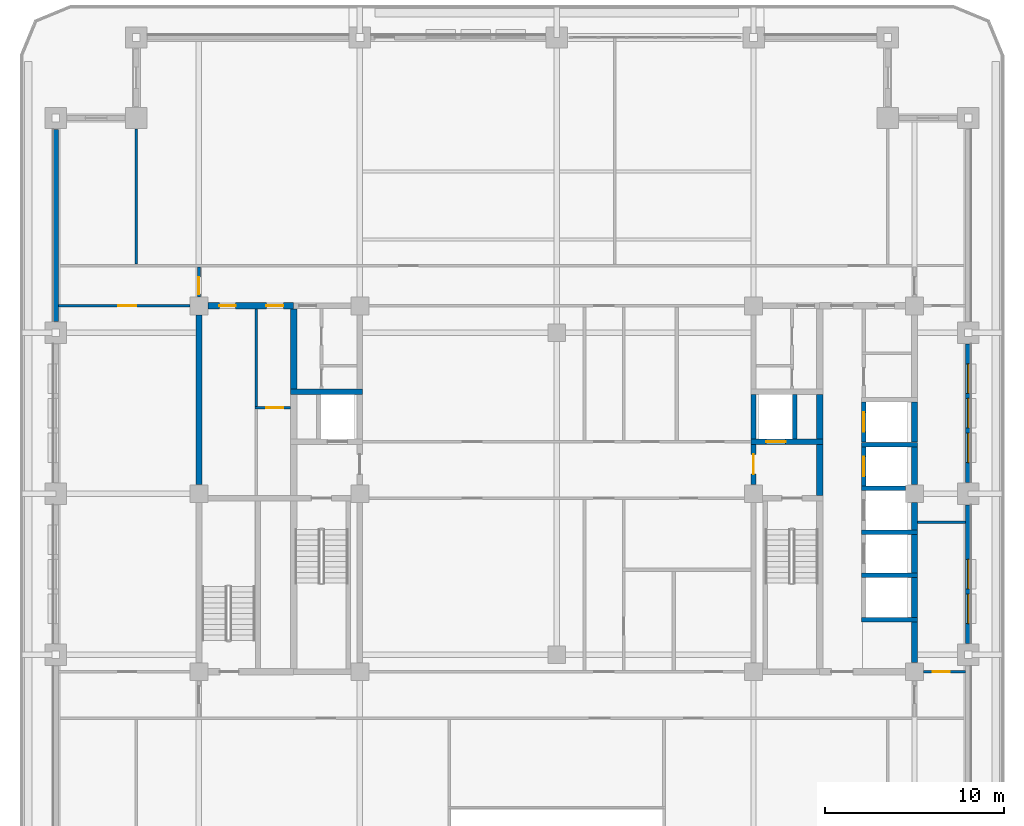
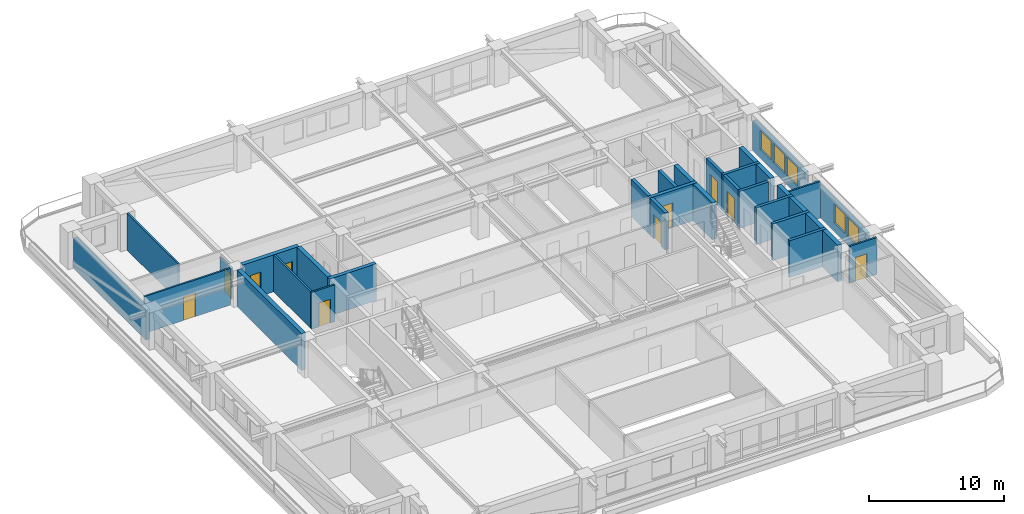
# One storey, part 10 of 20: 33 walls, 10 doors, 5 windows, 15 openings.
"""IFC4 building model written with IfcOpenShell, lengths in metres."""

from ifc_helpers import new_model, si_unit, direction, frame, frame_2d, origin, place, context, subcontext, project, spatial, rectangle, extrude, material, layer, layer_set, type_object, element, fill, save


model = new_model("IFC4")

# Units and contexts
model_context = context("Model", 3, precision=1e-05, world=origin(), true_north=direction((0.0, 1.0)))
body_context = subcontext(model_context, "Body", "Model", "MODEL_VIEW")
ifc_project = project(units=[si_unit("LENGTHUNIT", "METRE"), si_unit("AREAUNIT", "SQUARE_METRE"), si_unit("VOLUMEUNIT", "CUBIC_METRE"), si_unit("PLANEANGLEUNIT", "RADIAN"), si_unit("MASSUNIT", "GRAM", prefix="KILO")], contexts=[model_context])

# Site, building, storey
site_placement = place(None, origin())
site = spatial("IfcSite", under=ifc_project, at=site_placement, CompositionType="ELEMENT")
building_placement = place(site_placement, origin())
building = spatial("IfcBuilding", under=site, at=building_placement, Name="Zulmaris Gate Convention Tower", CompositionType="ELEMENT")
storey_placement = place(building_placement, frame((0.0, 0.0, 146.33984375)))
storey = spatial("IfcBuildingStorey", under=building, at=storey_placement, Name="L37", CompositionType="ELEMENT", Elevation=146.33984375)

# Walls
ifc_material_1 = material(Name="Concrete C50/60", Category="concrete")
ifc_layer_1 = layer(ifc_material_1, 0.25, Name="Concrete C50/60")
ifc_layer_set_1 = layer_set([ifc_layer_1], Name="Concrete C50/60")
wall_type_1 = type_object("IfcWallType", Name="CORE-250", PredefinedType="SOLIDWALL", material=ifc_layer_set_1)
for number, where, z_axis, x_axis, name in (
    (1, (17.02490234375, -7.050048828125, 0.0), (0.0, 0.0, 1.0), (1.0, 0.0, 0.0), "WL-L37-005"),
    (2, (17.02490234375, -4.550048828125, 0.0), (0.0, 0.0, 1.0), (1.0, 0.0, 0.0), "WL-L37-006"),
    (3, (17.02490234375, -2.14990234375, 0.0), (0.0, 0.0, 1.0), (1.0, 0.0, 0.0), "WL-L37-007"),
):
    element("IfcWall", number, at=place(storey_placement, frame(where, z_axis=z_axis, x_axis=x_axis)), inside=storey, type_object=wall_type_1, Name=name, PredefinedType="SOLIDWALL", context=body_context, shape_type="SweptSolid", body=[
        extrude(rectangle(XDim=3.150146484375, YDim=0.25, at=frame_2d((1.5751953125, 0.0))), origin(), (0.0, 0.0, 1.0), 3.320068359375),
    ])
wall_1_placement = place(storey_placement, frame((17.02490234375, 0.300048828125, 0.0), z_axis=(0.0, 0.0, 1.0), x_axis=(1.0, 0.0, 0.0)))
element("IfcWall", 4, at=wall_1_placement, inside=storey, type_object=wall_type_1, Name="WL-L37-010", PredefinedType="SOLIDWALL", context=body_context, shape_type="SweptSolid", body=[
    extrude(rectangle(XDim=2.47119140625, YDim=0.25, at=frame_2d((1.235595703125, 0.0))), origin(), (0.0, 0.0, 1.0), 3.320068359375),
])
wall_2_placement = place(storey_placement, frame((17.02490234375, 2.75, 0.0), z_axis=(0.0, 0.0, 1.0), x_axis=(1.0, 0.0, 0.0)))
element("IfcWall", 5, at=wall_2_placement, inside=storey, type_object=wall_type_1, Name="WL-L37-011", PredefinedType="SOLIDWALL", context=body_context, shape_type="SweptSolid", body=[
    extrude(rectangle(XDim=3.150146484375, YDim=0.25, at=frame_2d((1.5751953125, 0.0))), origin(), (0.0, 0.0, 1.0), 3.320068359375),
])
wall_3_placement = place(storey_placement, frame((13.300048828125, 3.052001953125, 0.0), z_axis=(0.0, 0.0, 1.0), x_axis=(0.0, 1.0, 0.0)))
element("IfcWall", 6, at=wall_3_placement, inside=storey, type_object=wall_type_1, Name="WL-L37-057", PredefinedType="SOLIDWALL", context=body_context, shape_type="SweptSolid", body=[
    extrude(rectangle(XDim=2.49609375, YDim=0.25, at=frame_2d((1.248046875, 0.0))), origin(), (0.0, 0.0, 1.0), 3.320068359375),
])

# Wall, opening, door
wall_4_placement = place(storey_placement, frame((17.14990234375, 0.427001953125, 0.0), z_axis=(0.0, 0.0, 1.0), x_axis=(0.0, 1.0, 0.0)))
wall_4 = element("IfcWall", 7, at=wall_4_placement, inside=storey, type_object=wall_type_1, Name="WL-L37-065", PredefinedType="SOLIDWALL", context=body_context, shape_type="SweptSolid", body=[
    extrude(rectangle(XDim=2.196044921875, YDim=0.25, at=frame_2d((1.09814453125, 0.0))), origin(), (0.0, 0.0, 1.0), 3.320068359375),
])
opening_1_placement = place(wall_4_placement, frame((0.548095703125, 0.0, 0.0)))
opening_1 = element("IfcOpeningElement", 8, at=opening_1_placement, cuts=wall_4, Name="Opening D-06", PredefinedType="OPENING", context=body_context, shape_type="SweptSolid", body=[
    extrude(rectangle(XDim=1.10009765625, YDim=2.199951171875, at=frame_2d((0.550048828125, 1.10009765625))), frame((0.0, 0.135009765625, 0.0), z_axis=(0.0, -1.0, 0.0), x_axis=(1.0, 0.0, 0.0)), (0.0, 0.0, 1.0), 0.27001953125),
])
ifc_material_2 = material(Name="Brushed Stainless Steel", Category="steel")
door_type_1 = type_object("IfcDoorType", Name="LD-1100", OperationType="NOTDEFINED", PredefinedType="DOOR", material=ifc_material_2)
door_1_placement = place(opening_1_placement, origin())
door_1 = element("IfcDoor", 9, at=door_1_placement, inside=storey, type_object=door_type_1, Name="L37 Lift Landing Door MP-03 19", OperationType="SLIDING_TO_RIGHT", OverallHeight=2.199951171875, OverallWidth=1.10009765625, PredefinedType="DOOR", context=body_context, shape_type="SweptSolid", body=[
    extrude(rectangle(XDim=1.10009765625, YDim=2.199951171875, at=frame_2d((0.550048828125, 1.10009765625))), frame((0.0, 0.02490234375, 0.0), z_axis=(0.0, -1.0, 0.0), x_axis=(1.0, 0.0, 0.0)), (0.0, 0.0, 1.0), 0.050048828125),
])
fill(opening_1, door_1)

wall_5_placement = place(storey_placement, frame((17.14990234375, 2.876953125, 0.0), z_axis=(0.0, 0.0, 1.0), x_axis=(0.0, 1.0, 0.0)))
wall_5 = element("IfcWall", 10, at=wall_5_placement, inside=storey, type_object=wall_type_1, Name="WL-L37-066", PredefinedType="SOLIDWALL", context=body_context, shape_type="SweptSolid", body=[
    extrude(rectangle(XDim=2.24609375, YDim=0.25, at=frame_2d((1.123046875, 0.0))), origin(), (0.0, 0.0, 1.0), 3.320068359375),
])
opening_2_placement = place(wall_5_placement, frame((0.572998046875, 0.0, 0.0)))
opening_2 = element("IfcOpeningElement", 11, at=opening_2_placement, cuts=wall_5, Name="Opening D-06", PredefinedType="OPENING", context=body_context, shape_type="SweptSolid", body=[
    extrude(rectangle(XDim=1.10009765625, YDim=2.199951171875, at=frame_2d((0.550048828125, 1.10009765625))), frame((0.0, 0.135009765625, 0.0), z_axis=(0.0, -1.0, 0.0), x_axis=(1.0, 0.0, 0.0)), (0.0, 0.0, 1.0), 0.27001953125),
])
door_2_placement = place(opening_2_placement, origin())
door_2 = element("IfcDoor", 12, at=door_2_placement, inside=storey, type_object=door_type_1, Name="L37 Lift Landing Door MP-04 20", OperationType="SLIDING_TO_RIGHT", OverallHeight=2.199951171875, OverallWidth=1.10009765625, PredefinedType="DOOR", context=body_context, shape_type="SweptSolid", body=[
    extrude(rectangle(XDim=1.10009765625, YDim=2.199951171875, at=frame_2d((0.550048828125, 1.10009765625))), frame((0.0, 0.02490234375, 0.0), z_axis=(0.0, -1.0, 0.0), x_axis=(1.0, 0.0, 0.0)), (0.0, 0.0, 1.0), 0.050048828125),
])
fill(opening_2, door_2)

ifc_layer_2 = layer(ifc_material_1, 0.300048828125, Name="Concrete C50/60")
ifc_layer_set_2 = layer_set([ifc_layer_2], Name="Concrete C50/60")
wall_type_2 = type_object("IfcWallType", Name="CORE-300", PredefinedType="SHEAR", material=ifc_layer_set_2)
wall_6_placement = place(storey_placement, frame((10.85009765625, 2.89990234375, 0.0), z_axis=(0.0, 0.0, 1.0), x_axis=(1.0, 0.0, 0.0)))
wall_6 = element("IfcWall", 13, at=wall_6_placement, inside=storey, type_object=wall_type_2, Name="WL-L37-013", PredefinedType="SHEAR", context=body_context, shape_type="SweptSolid", body=[
    extrude(rectangle(XDim=4.02490234375, YDim=0.300048828125, at=frame_2d((2.012451171875, 0.0))), origin(), (0.0, 0.0, 1.0), 3.320068359375),
])
opening_3_placement = place(wall_6_placement, frame((0.85009765625, 0.0, 0.0)))
opening_3 = element("IfcOpeningElement", 14, at=opening_3_placement, cuts=wall_6, Name="Opening D-06", PredefinedType="OPENING", context=body_context, shape_type="SweptSolid", body=[
    extrude(rectangle(XDim=1.10009765625, YDim=2.199951171875, at=frame_2d((0.550048828125, 1.10009765625))), frame((0.0, 0.16015625, 0.0), z_axis=(0.0, -1.0, 0.0), x_axis=(1.0, 0.0, 0.0)), (0.0, 0.0, 1.0), 0.320068359375),
])
door_3_placement = place(opening_3_placement, origin())
door_3 = element("IfcDoor", 15, at=door_3_placement, inside=storey, type_object=door_type_1, Name="L37 Lift Landing Door LF-02 06", OperationType="SLIDING_TO_RIGHT", OverallHeight=2.199951171875, OverallWidth=1.10009765625, PredefinedType="DOOR", context=body_context, shape_type="SweptSolid", body=[
    extrude(rectangle(XDim=1.10009765625, YDim=2.199951171875, at=frame_2d((0.550048828125, 1.10009765625))), frame((0.0, 0.02490234375, 0.0), z_axis=(0.0, -1.0, 0.0), x_axis=(1.0, 0.0, 0.0)), (0.0, 0.0, 1.0), 0.050048828125),
])
fill(opening_3, door_3)

# Wall
wall_7_placement = place(storey_placement, frame((-14.875, 5.699951171875, 0.0), z_axis=(0.0, 0.0, 1.0), x_axis=(1.0, 0.0, 0.0)))
element("IfcWall", 16, at=wall_7_placement, inside=storey, type_object=wall_type_2, Name="WL-L37-015", PredefinedType="SHEAR", context=body_context, shape_type="SweptSolid", body=[
    extrude(rectangle(XDim=4.02490234375, YDim=0.300048828125, at=frame_2d((2.012451171875, 0.0))), origin(), (0.0, 0.0, 1.0), 3.320068359375),
])

# Wall, opening, door
wall_8_placement = place(storey_placement, frame((11.0, 0.50390625, 0.0), z_axis=(0.0, 0.0, 1.0), x_axis=(0.0, 1.0, 0.0)))
wall_8 = element("IfcWall", 17, at=wall_8_placement, inside=storey, type_object=wall_type_2, Name="WL-L37-053", PredefinedType="SHEAR", context=body_context, shape_type="SweptSolid", body=[
    extrude(rectangle(XDim=2.244140625, YDim=0.300048828125, at=frame_2d((1.1220703125, 0.0))), origin(), (0.0, 0.0, 1.0), 3.320068359375),
])
opening_4_placement = place(wall_8_placement, frame((0.595947265625, 0.0, 0.0)))
opening_4 = element("IfcOpeningElement", 18, at=opening_4_placement, cuts=wall_8, Name="Opening D-08", PredefinedType="OPENING", context=body_context, shape_type="SweptSolid", body=[
    extrude(rectangle(XDim=1.10009765625, YDim=2.14990234375, at=frame_2d((0.550048828125, 1.074951171875))), frame((0.0, 0.16015625, 0.0), z_axis=(0.0, -1.0, 0.0), x_axis=(1.0, 0.0, 0.0)), (0.0, 0.0, 1.0), 0.320068359375),
])
ifc_material_3 = material(Name="Fire-Rated Steel", Category="steel")
door_type_2 = type_object("IfcDoorType", Name="DR-1100-FD", OperationType="NOTDEFINED", PredefinedType="DOOR", material=ifc_material_3)
door_4_placement = place(opening_4_placement, origin())
door_4 = element("IfcDoor", 19, at=door_4_placement, inside=storey, type_object=door_type_2, Name="L37 East Firefighting Lobby Door 05", OperationType="SINGLE_SWING_RIGHT", OverallHeight=2.14990234375, OverallWidth=1.10009765625, PredefinedType="DOOR", context=body_context, shape_type="SweptSolid", body=[
    extrude(rectangle(XDim=1.10009765625, YDim=2.14990234375, at=frame_2d((0.550048828125, 1.074951171875))), frame((0.0, 0.02490234375, 0.0), z_axis=(0.0, -1.0, 0.0), x_axis=(1.0, 0.0, 0.0)), (0.0, 0.0, 1.0), 0.050048828125),
])
fill(opening_4, door_4)

# Wall
wall_9_placement = place(storey_placement, frame((11.0, 3.052001953125, 0.0), z_axis=(0.0, 0.0, 1.0), x_axis=(0.0, 1.0, 0.0)))
element("IfcWall", 20, at=wall_9_placement, inside=storey, type_object=wall_type_2, Name="WL-L37-054", PredefinedType="SHEAR", context=body_context, shape_type="SweptSolid", body=[
    extrude(rectangle(XDim=2.49609375, YDim=0.300048828125, at=frame_2d((1.248046875, 0.0))), origin(), (0.0, 0.0, 1.0), 3.320068359375),
])

# Wall, openings, doors
ifc_material_4 = material(Name="Concrete C55/67", Category="concrete")
ifc_layer_3 = layer(ifc_material_4, 0.35009765625, Name="Concrete C55/67")
ifc_layer_set_3 = layer_set([ifc_layer_3], Name="Concrete C55/67")
wall_type_3 = type_object("IfcWallType", Name="CORE-350", PredefinedType="SHEAR", material=ifc_layer_set_3)
wall_10_placement = place(storey_placement, frame((-19.49609375, 10.5, 0.0), z_axis=(0.0, 0.0, 1.0), x_axis=(1.0, 0.0, 0.0)))
wall_10 = element("IfcWall", 21, at=wall_10_placement, inside=storey, type_object=wall_type_3, Name="WL-L37-017", PredefinedType="SHEAR", context=body_context, shape_type="SweptSolid", body=[
    extrude(rectangle(XDim=4.796142578125, YDim=0.35009765625, at=frame_2d((2.39794921875, 0.0))), origin(), (0.0, 0.0, 1.0), 3.320068359375),
])
opening_5_placement = place(wall_10_placement, frame((0.64599609375, 0.0, 0.0)))
opening_5 = element("IfcOpeningElement", 22, at=opening_5_placement, cuts=wall_10, Name="Opening D-12", PredefinedType="OPENING", context=body_context, shape_type="SweptSolid", body=[
    extrude(rectangle(XDim=0.89990234375, YDim=2.14990234375, at=frame_2d((0.449951171875, 1.074951171875))), frame((0.0, 0.18505859375, 0.0), z_axis=(0.0, -1.0, 0.0), x_axis=(1.0, 0.0, 0.0)), (0.0, 0.0, 1.0), 0.3701171875),
])
opening_6_placement = place(wall_10_placement, frame((3.27099609375, 0.0, 0.0)))
opening_6 = element("IfcOpeningElement", 23, at=opening_6_placement, cuts=wall_10, Name="Opening D-11", PredefinedType="OPENING", context=body_context, shape_type="SweptSolid", body=[
    extrude(rectangle(XDim=0.949951171875, YDim=2.14990234375, at=frame_2d((0.47509765625, 1.074951171875))), frame((0.0, 0.18505859375, 0.0), z_axis=(0.0, -1.0, 0.0), x_axis=(1.0, 0.0, 0.0)), (0.0, 0.0, 1.0), 0.3701171875),
])
ifc_material_5 = material(Name="Fire-Rated Timber", Category="wood")
door_type_3 = type_object("IfcDoorType", Name="DR-900-FD", OperationType="NOTDEFINED", PredefinedType="DOOR", material=ifc_material_5)
door_5_placement = place(opening_5_placement, origin())
door_5 = element("IfcDoor", 24, at=door_5_placement, inside=storey, type_object=door_type_3, Name="L37 Document Vault Door 14", OperationType="SINGLE_SWING_RIGHT", OverallHeight=2.14990234375, OverallWidth=0.89990234375, PredefinedType="DOOR", context=body_context, shape_type="SweptSolid", body=[
    extrude(rectangle(XDim=0.89990234375, YDim=2.14990234375, at=frame_2d((0.449951171875, 1.074951171875))), frame((0.0, 0.02490234375, 0.0), z_axis=(0.0, -1.0, 0.0), x_axis=(1.0, 0.0, 0.0)), (0.0, 0.0, 1.0), 0.050048828125),
])
fill(opening_5, door_5)
door_type_4 = type_object("IfcDoorType", Name="DR-950-FD", OperationType="NOTDEFINED", PredefinedType="DOOR", material=ifc_material_5)
door_6_placement = place(opening_6_placement, origin())
door_6 = element("IfcDoor", 25, at=door_6_placement, inside=storey, type_object=door_type_4, Name="L37 Beverage Pantry Door 15", OperationType="SINGLE_SWING_LEFT", OverallHeight=2.14990234375, OverallWidth=0.949951171875, PredefinedType="DOOR", context=body_context, shape_type="SweptSolid", body=[
    extrude(rectangle(XDim=0.949951171875, YDim=2.14990234375, at=frame_2d((0.47509765625, 1.074951171875))), frame((0.0, 0.02490234375, 0.0), z_axis=(0.0, -1.0, 0.0), x_axis=(1.0, 0.0, 0.0)), (0.0, 0.0, 1.0), 0.050048828125),
])
fill(opening_6, door_6)

# Walls
wall_11_placement = place(storey_placement, frame((-20.0, 0.50390625, 0.0), z_axis=(0.0, 0.0, 1.0), x_axis=(0.0, 1.0, 0.0)))
element("IfcWall", 26, at=wall_11_placement, inside=storey, type_object=wall_type_3, Name="WL-L37-040", PredefinedType="SHEAR", context=body_context, shape_type="SweptSolid", body=[
    extrude(rectangle(XDim=9.4921875, YDim=0.35009765625, at=frame_2d((4.74609375, 0.0))), origin(), (0.0, 0.0, 1.0), 3.320068359375),
])
wall_12_placement = place(storey_placement, frame((-14.699951171875, 5.85205078125, 0.0), z_axis=(0.0, 0.0, 1.0), x_axis=(0.0, 1.0, 0.0)))
element("IfcWall", 27, at=wall_12_placement, inside=storey, type_object=wall_type_3, Name="WL-L37-045", PredefinedType="SHEAR", context=body_context, shape_type="SweptSolid", body=[
    extrude(rectangle(XDim=4.470947265625, YDim=0.35009765625, at=frame_2d((2.2353515625, 0.0))), origin(), (0.0, 0.0, 1.0), 3.320068359375),
])
wall_13_placement = place(storey_placement, frame((14.699951171875, -0.097900390625, 0.0), z_axis=(0.0, 0.0, 1.0), x_axis=(0.0, 1.0, 0.0)))
element("IfcWall", 28, at=wall_13_placement, inside=storey, type_object=wall_type_3, Name="WL-L37-059", PredefinedType="SHEAR", context=body_context, shape_type="SweptSolid", body=[
    extrude(rectangle(XDim=2.845947265625, YDim=0.35009765625, at=frame_2d((1.4228515625, 0.0))), origin(), (0.0, 0.0, 1.0), 3.320068359375),
])
wall_14_placement = place(storey_placement, frame((14.699951171875, 3.052001953125, 0.0), z_axis=(0.0, 0.0, 1.0), x_axis=(0.0, 1.0, 0.0)))
element("IfcWall", 29, at=wall_14_placement, inside=storey, type_object=wall_type_3, Name="WL-L37-060", PredefinedType="SHEAR", context=body_context, shape_type="SweptSolid", body=[
    extrude(rectangle(XDim=2.49609375, YDim=0.35009765625, at=frame_2d((1.248046875, 0.0))), origin(), (0.0, 0.0, 1.0), 3.320068359375),
])
wall_15_placement = place(storey_placement, frame((20.0, -9.446044921875, 0.0), z_axis=(0.0, 0.0, 1.0), x_axis=(0.0, 1.0, 0.0)))
element("IfcWall", 30, at=wall_15_placement, inside=storey, type_object=wall_type_3, Name="WL-L37-067", PredefinedType="SHEAR", context=body_context, shape_type="SweptSolid", body=[
    extrude(rectangle(XDim=2.26904296875, YDim=0.35009765625, at=frame_2d((1.134521484375, 0.0))), origin(), (0.0, 0.0, 1.0), 3.320068359375),
])
wall_16_placement = place(storey_placement, frame((20.0, -6.923095703125, 0.0), z_axis=(0.0, 0.0, 1.0), x_axis=(0.0, 1.0, 0.0)))
element("IfcWall", 31, at=wall_16_placement, inside=storey, type_object=wall_type_3, Name="WL-L37-068", PredefinedType="SHEAR", context=body_context, shape_type="SweptSolid", body=[
    extrude(rectangle(XDim=2.24609375, YDim=0.35009765625, at=frame_2d((1.123046875, 0.0))), origin(), (0.0, 0.0, 1.0), 3.320068359375),
])
wall_17_placement = place(storey_placement, frame((20.0, -4.423095703125, 0.0), z_axis=(0.0, 0.0, 1.0), x_axis=(0.0, 1.0, 0.0)))
element("IfcWall", 32, at=wall_17_placement, inside=storey, type_object=wall_type_3, Name="WL-L37-069", PredefinedType="SHEAR", context=body_context, shape_type="SweptSolid", body=[
    extrude(rectangle(XDim=2.14599609375, YDim=0.35009765625, at=frame_2d((1.072998046875, 0.0))), origin(), (0.0, 0.0, 1.0), 3.320068359375),
])
wall_18_placement = place(storey_placement, frame((20.0, -2.02294921875, 0.0), z_axis=(0.0, 0.0, 1.0), x_axis=(0.0, 1.0, 0.0)))
element("IfcWall", 33, at=wall_18_placement, inside=storey, type_object=wall_type_3, Name="WL-L37-070", PredefinedType="SHEAR", context=body_context, shape_type="SweptSolid", body=[
    extrude(rectangle(XDim=1.51904296875, YDim=0.35009765625, at=frame_2d((0.759521484375, 0.0))), origin(), (0.0, 0.0, 1.0), 3.320068359375),
])
wall_19_placement = place(storey_placement, frame((20.0, 0.50390625, 0.0), z_axis=(0.0, 0.0, 1.0), x_axis=(0.0, 1.0, 0.0)))
element("IfcWall", 34, at=wall_19_placement, inside=storey, type_object=wall_type_3, Name="WL-L37-071", PredefinedType="SHEAR", context=body_context, shape_type="SweptSolid", body=[
    extrude(rectangle(XDim=2.119140625, YDim=0.35009765625, at=frame_2d((1.0595703125, 0.0))), origin(), (0.0, 0.0, 1.0), 3.320068359375),
])
wall_20_placement = place(storey_placement, frame((20.0, 2.876953125, 0.0), z_axis=(0.0, 0.0, 1.0), x_axis=(0.0, 1.0, 0.0)))
element("IfcWall", 35, at=wall_20_placement, inside=storey, type_object=wall_type_3, Name="WL-L37-072", PredefinedType="SHEAR", context=body_context, shape_type="SweptSolid", body=[
    extrude(rectangle(XDim=2.24609375, YDim=0.35009765625, at=frame_2d((1.123046875, 0.0))), origin(), (0.0, 0.0, 1.0), 3.320068359375),
])

# Wall, opening, door
ifc_material_6 = material(Name="Gypsum Metal Stud Partition")
ifc_layer_4 = layer(ifc_material_6, 0.14990234375, Name="Gypsum Metal Stud Partition")
ifc_layer_set_4 = layer_set([ifc_layer_4], Name="Gypsum Metal Stud Partition")
wall_type_4 = type_object("IfcWallType", Name="PART-150", PredefinedType="PARTITIONING", material=ifc_layer_set_4)
wall_21_placement = place(storey_placement, frame((20.506103515625, -9.949951171875, 0.0), z_axis=(0.0, 0.0, 1.0), x_axis=(1.0, 0.0, 0.0)))
wall_21 = element("IfcWall", 36, at=wall_21_placement, inside=storey, type_object=wall_type_4, Name="WL-L37-026", PredefinedType="PARTITIONING", context=body_context, shape_type="SweptSolid", body=[
    extrude(rectangle(XDim=2.328857421875, YDim=0.14990234375, at=frame_2d((1.16455078125, 0.0))), origin(), (0.0, 0.0, 1.0), 3.320068359375),
])
opening_7_placement = place(wall_21_placement, frame((0.51904296875, 0.0, 0.0)))
opening_7 = element("IfcOpeningElement", 37, at=opening_7_placement, cuts=wall_21, Name="Opening D-11", PredefinedType="OPENING", context=body_context, shape_type="SweptSolid", body=[
    extrude(rectangle(XDim=0.949951171875, YDim=2.14990234375, at=frame_2d((0.47509765625, 1.074951171875))), frame((0.0, 0.0849609375, 0.0), z_axis=(0.0, -1.0, 0.0), x_axis=(1.0, 0.0, 0.0)), (0.0, 0.0, 1.0), 0.169921875),
])
door_7_placement = place(opening_7_placement, origin())
door_7 = element("IfcDoor", 38, at=door_7_placement, inside=storey, type_object=door_type_4, Name="L37 SE Partner Door 50", OperationType="SINGLE_SWING_RIGHT", OverallHeight=2.14990234375, OverallWidth=0.949951171875, PredefinedType="DOOR", context=body_context, shape_type="SweptSolid", body=[
    extrude(rectangle(XDim=0.949951171875, YDim=2.14990234375, at=frame_2d((0.47509765625, 1.074951171875))), frame((0.0, 0.02490234375, 0.0), z_axis=(0.0, -1.0, 0.0), x_axis=(1.0, 0.0, 0.0)), (0.0, 0.0, 1.0), 0.050048828125),
])
fill(opening_7, door_7)

# Wall
wall_22_placement = place(storey_placement, frame((20.177978515625, -1.60009765625, 0.0), z_axis=(0.0, 0.0, 1.0), x_axis=(1.0, 0.0, 0.0)))
element("IfcWall", 39, at=wall_22_placement, inside=storey, type_object=wall_type_4, Name="WL-L37-028", PredefinedType="PARTITIONING", context=body_context, shape_type="SweptSolid", body=[
    extrude(rectangle(XDim=2.656982421875, YDim=0.14990234375, at=frame_2d((1.32861328125, 0.0))), origin(), (0.0, 0.0, 1.0), 3.320068359375),
])

# Wall, opening, door
wall_23_placement = place(storey_placement, frame((-16.875, 4.800048828125, 0.0), z_axis=(0.0, 0.0, 1.0), x_axis=(1.0, 0.0, 0.0)))
wall_23 = element("IfcWall", 40, at=wall_23_placement, inside=storey, type_object=wall_type_4, Name="WL-L37-031", PredefinedType="PARTITIONING", context=body_context, shape_type="SweptSolid", body=[
    extrude(rectangle(XDim=1.9970703125, YDim=0.14990234375, at=frame_2d((0.99853515625, 0.0))), origin(), (0.0, 0.0, 1.0), 3.320068359375),
])
opening_8_placement = place(wall_23_placement, frame((0.64990234375, 0.0, 0.0)))
opening_8 = element("IfcOpeningElement", 41, at=opening_8_placement, cuts=wall_23, Name="Opening D-11", PredefinedType="OPENING", context=body_context, shape_type="SweptSolid", body=[
    extrude(rectangle(XDim=0.949951171875, YDim=2.14990234375, at=frame_2d((0.47509765625, 1.074951171875))), frame((0.0, 0.0849609375, 0.0), z_axis=(0.0, -1.0, 0.0), x_axis=(1.0, 0.0, 0.0)), (0.0, 0.0, 1.0), 0.169921875),
])
door_8_placement = place(opening_8_placement, origin())
door_8 = element("IfcDoor", 42, at=door_8_placement, inside=storey, type_object=door_type_4, Name="L37 Cleaners Closet Door 16", OperationType="SINGLE_SWING_RIGHT", OverallHeight=2.14990234375, OverallWidth=0.949951171875, PredefinedType="DOOR", context=body_context, shape_type="SweptSolid", body=[
    extrude(rectangle(XDim=0.949951171875, YDim=2.14990234375, at=frame_2d((0.47509765625, 1.074951171875))), frame((0.0, 0.02490234375, 0.0), z_axis=(0.0, -1.0, 0.0), x_axis=(1.0, 0.0, 0.0)), (0.0, 0.0, 1.0), 0.050048828125),
])
fill(opening_8, door_8)

wall_24_placement = place(storey_placement, frame((-27.8349609375, 10.5, 0.0), z_axis=(0.0, 0.0, 1.0), x_axis=(1.0, 0.0, 0.0)))
wall_24 = element("IfcWall", 43, at=wall_24_placement, inside=storey, type_object=wall_type_4, Name="WL-L37-035", PredefinedType="PARTITIONING", context=body_context, shape_type="SweptSolid", body=[
    extrude(rectangle(XDim=7.328857421875, YDim=0.14990234375, at=frame_2d((3.66455078125, 0.0))), origin(), (0.0, 0.0, 1.0), 3.320068359375),
])
opening_9_placement = place(wall_24_placement, frame((3.3349609375, 0.0, 0.0)))
opening_9 = element("IfcOpeningElement", 44, at=opening_9_placement, cuts=wall_24, Name="Opening D-10", PredefinedType="OPENING", context=body_context, shape_type="SweptSolid", body=[
    extrude(rectangle(XDim=1.0, YDim=2.14990234375, at=frame_2d((0.5, 1.074951171875))), frame((0.0, 0.0849609375, 0.0), z_axis=(0.0, -1.0, 0.0), x_axis=(1.0, 0.0, 0.0)), (0.0, 0.0, 1.0), 0.169921875),
])
door_type_5 = type_object("IfcDoorType", Name="DR-1000-FD", OperationType="NOTDEFINED", PredefinedType="DOOR", material=ifc_material_5)
door_9_placement = place(opening_9_placement, origin())
door_9 = element("IfcDoor", 45, at=door_9_placement, inside=storey, type_object=door_type_5, Name="L37 West Workplace North Door 45", OperationType="SINGLE_SWING_LEFT", OverallHeight=2.14990234375, OverallWidth=1.0, PredefinedType="DOOR", context=body_context, shape_type="SweptSolid", body=[
    extrude(rectangle(XDim=1.0, YDim=2.14990234375, at=frame_2d((0.5, 1.074951171875))), frame((0.0, 0.02490234375, 0.0), z_axis=(0.0, -1.0, 0.0), x_axis=(1.0, 0.0, 0.0)), (0.0, 0.0, 1.0), 0.050048828125),
])
fill(opening_9, door_9)

# Wall
wall_25_placement = place(storey_placement, frame((-23.5, 12.827880859375, 0.0), z_axis=(0.0, 0.0, 1.0), x_axis=(0.0, 1.0, 0.0)))
element("IfcWall", 46, at=wall_25_placement, inside=storey, type_object=wall_type_4, Name="WL-L37-075", PredefinedType="PARTITIONING", context=body_context, shape_type="SweptSolid", body=[
    extrude(rectangle(XDim=7.566162109375, YDim=0.14990234375, at=frame_2d((3.783203125, 0.0))), origin(), (0.0, 0.0, 1.0), 3.320068359375),
])

# Wall, opening, door
wall_26_placement = place(storey_placement, frame((-20.0, 11.006103515625, 0.0), z_axis=(0.0, 0.0, 1.0), x_axis=(0.0, 1.0, 0.0)))
wall_26 = element("IfcWall", 47, at=wall_26_placement, inside=storey, type_object=wall_type_4, Name="WL-L37-077", PredefinedType="PARTITIONING", context=body_context, shape_type="SweptSolid", body=[
    extrude(rectangle(XDim=1.666015625, YDim=0.14990234375, at=frame_2d((0.8330078125, 0.0))), origin(), (0.0, 0.0, 1.0), 2.81005859375),
])
opening_10_placement = place(wall_26_placement, frame((0.14990234375, 0.0, 0.0)))
opening_10 = element("IfcOpeningElement", 48, at=opening_10_placement, cuts=wall_26, Name="Opening D-11", PredefinedType="OPENING", context=body_context, shape_type="SweptSolid", body=[
    extrude(rectangle(XDim=0.949951171875, YDim=2.14990234375, at=frame_2d((0.47509765625, 1.074951171875))), frame((0.0, 0.0849609375, 0.0), z_axis=(0.0, -1.0, 0.0), x_axis=(1.0, 0.0, 0.0)), (0.0, 0.0, 1.0), 0.169921875),
])
door_10_placement = place(opening_10_placement, origin())
door_10 = element("IfcDoor", 49, at=door_10_placement, inside=storey, type_object=door_type_4, Name="L37 NW Spur Door 43", OperationType="SINGLE_SWING_LEFT", OverallHeight=2.14990234375, OverallWidth=0.949951171875, PredefinedType="DOOR", context=body_context, shape_type="SweptSolid", body=[
    extrude(rectangle(XDim=0.949951171875, YDim=2.14990234375, at=frame_2d((0.47509765625, 1.074951171875))), frame((0.0, 0.02490234375, 0.0), z_axis=(0.0, -1.0, 0.0), x_axis=(1.0, 0.0, 0.0)), (0.0, 0.0, 1.0), 0.050048828125),
])
fill(opening_10, door_10)

# Wall
wall_27_placement = place(storey_placement, frame((-16.800048828125, 4.8779296875, 0.0), z_axis=(0.0, 0.0, 1.0), x_axis=(0.0, 1.0, 0.0)))
element("IfcWall", 50, at=wall_27_placement, inside=storey, type_object=wall_type_4, Name="WL-L37-079", PredefinedType="PARTITIONING", context=body_context, shape_type="SweptSolid", body=[
    extrude(rectangle(XDim=5.444091796875, YDim=0.14990234375, at=frame_2d((2.72216796875, 0.0))), origin(), (0.0, 0.0, 1.0), 3.320068359375),
])

# Wall, openings, windows
ifc_material_7 = material(Name="Precast concrete C40/50", Category="concrete")
ifc_layer_5 = layer(ifc_material_7, 0.300048828125, Name="Precast concrete C40/50")
ifc_layer_set_5 = layer_set([ifc_layer_5], Name="Precast concrete C40/50")
wall_type_5 = type_object("IfcWallType", Name="PRECAST-PIER-300", PredefinedType="STANDARD", material=ifc_layer_set_5)
wall_28_placement = place(storey_placement, frame((23.0, -8.3701171875, 0.0), z_axis=(0.0, 0.0, 1.0), x_axis=(0.0, 1.0, 0.0)))
wall_28 = element("IfcWall", 51, at=wall_28_placement, inside=storey, type_object=wall_type_5, Name="EW-L37-E-1_0", PredefinedType="STANDARD", context=body_context, shape_type="SweptSolid", body=[
    extrude(rectangle(XDim=7.740234375, YDim=0.300048828125, at=frame_2d((3.8701171875, 0.0))), origin(), (0.0, 0.0, 1.0), 2.712158203125),
])
opening_11_placement = place(wall_28_placement, frame((1.110107421875, 0.0, 0.800048828125)))
opening_11 = element("IfcOpeningElement", 52, at=opening_11_placement, cuts=wall_28, Name="Opening W-08", PredefinedType="OPENING", context=body_context, shape_type="SweptSolid", body=[
    extrude(rectangle(XDim=1.64990234375, YDim=1.699951171875, at=frame_2d((0.824951171875, 0.85009765625))), frame((0.0, 0.16015625, 0.0), z_axis=(0.0, -1.0, 0.0), x_axis=(1.0, 0.0, 0.0)), (0.0, 0.0, 1.0), 0.320068359375),
])
opening_12_placement = place(wall_28_placement, frame((3.044921875, 0.0, 0.800048828125)))
opening_12 = element("IfcOpeningElement", 53, at=opening_12_placement, cuts=wall_28, Name="Opening W-08", PredefinedType="OPENING", context=body_context, shape_type="SweptSolid", body=[
    extrude(rectangle(XDim=1.64990234375, YDim=1.699951171875, at=frame_2d((0.824951171875, 0.85009765625))), frame((0.0, 0.16015625, 0.0), z_axis=(0.0, -1.0, 0.0), x_axis=(1.0, 0.0, 0.0)), (0.0, 0.0, 1.0), 0.320068359375),
])
ifc_material_8 = material(Name="Low-E Laminated Double Glazing in Aluminium Frame", Category="aluminium")
window_type = type_object("IfcWindowType", Name="WIN-1650x2150", PartitioningType="SINGLE_PANEL", PredefinedType="WINDOW", material=ifc_material_8)
window_1_placement = place(opening_11_placement, origin())
window_1 = element("IfcWindow", 54, at=window_1_placement, inside=storey, type_object=window_type, Name="WN-EW-L37-E-1_0-1", OverallHeight=1.699951171875, OverallWidth=1.64990234375, PartitioningType="SINGLE_PANEL", PredefinedType="WINDOW", context=body_context, shape_type="SweptSolid", body=[
    extrude(rectangle(XDim=1.64990234375, YDim=1.699951171875, at=frame_2d((0.824951171875, 0.85009765625))), frame((0.0, 0.030029296875, 0.0), z_axis=(0.0, -1.0, 0.0), x_axis=(1.0, 0.0, 0.0)), (0.0, 0.0, 1.0), 0.06005859375),
])
fill(opening_11, window_1)
window_2_placement = place(opening_12_placement, origin())
window_2 = element("IfcWindow", 55, at=window_2_placement, inside=storey, type_object=window_type, Name="WN-EW-L37-E-1_0-2", OverallHeight=1.699951171875, OverallWidth=1.64990234375, PartitioningType="SINGLE_PANEL", PredefinedType="WINDOW", context=body_context, shape_type="SweptSolid", body=[
    extrude(rectangle(XDim=1.64990234375, YDim=1.699951171875, at=frame_2d((0.824951171875, 0.85009765625))), frame((0.0, 0.030029296875, 0.0), z_axis=(0.0, -1.0, 0.0), x_axis=(1.0, 0.0, 0.0)), (0.0, 0.0, 1.0), 0.06005859375),
])
fill(opening_12, window_2)

wall_29_placement = place(storey_placement, frame((23.0, 0.6298828125, 0.0), z_axis=(0.0, 0.0, 1.0), x_axis=(0.0, 1.0, 0.0)))
wall_29 = element("IfcWall", 56, at=wall_29_placement, inside=storey, type_object=wall_type_5, Name="EW-L37-E-2_0", PredefinedType="STANDARD", context=body_context, shape_type="SweptSolid", body=[
    extrude(rectangle(XDim=7.740234375, YDim=0.300048828125, at=frame_2d((3.8701171875, 0.0))), origin(), (0.0, 0.0, 1.0), 2.712158203125),
])
opening_13_placement = place(wall_29_placement, frame((1.110107421875, 0.0, 0.800048828125)))
opening_13 = element("IfcOpeningElement", 57, at=opening_13_placement, cuts=wall_29, Name="Opening W-08", PredefinedType="OPENING", context=body_context, shape_type="SweptSolid", body=[
    extrude(rectangle(XDim=1.64990234375, YDim=1.699951171875, at=frame_2d((0.824951171875, 0.85009765625))), frame((0.0, 0.16015625, 0.0), z_axis=(0.0, -1.0, 0.0), x_axis=(1.0, 0.0, 0.0)), (0.0, 0.0, 1.0), 0.320068359375),
])
opening_14_placement = place(wall_29_placement, frame((3.044921875, 0.0, 0.800048828125)))
opening_14 = element("IfcOpeningElement", 58, at=opening_14_placement, cuts=wall_29, Name="Opening W-08", PredefinedType="OPENING", context=body_context, shape_type="SweptSolid", body=[
    extrude(rectangle(XDim=1.64990234375, YDim=1.699951171875, at=frame_2d((0.824951171875, 0.85009765625))), frame((0.0, 0.16015625, 0.0), z_axis=(0.0, -1.0, 0.0), x_axis=(1.0, 0.0, 0.0)), (0.0, 0.0, 1.0), 0.320068359375),
])
opening_15_placement = place(wall_29_placement, frame((4.97998046875, 0.0, 0.800048828125)))
opening_15 = element("IfcOpeningElement", 59, at=opening_15_placement, cuts=wall_29, Name="Opening W-08", PredefinedType="OPENING", context=body_context, shape_type="SweptSolid", body=[
    extrude(rectangle(XDim=1.64990234375, YDim=1.699951171875, at=frame_2d((0.824951171875, 0.85009765625))), frame((0.0, 0.16015625, 0.0), z_axis=(0.0, -1.0, 0.0), x_axis=(1.0, 0.0, 0.0)), (0.0, 0.0, 1.0), 0.320068359375),
])
window_3_placement = place(opening_13_placement, origin())
window_3 = element("IfcWindow", 60, at=window_3_placement, inside=storey, type_object=window_type, Name="WN-EW-L37-E-2_0-1", OverallHeight=1.699951171875, OverallWidth=1.64990234375, PartitioningType="SINGLE_PANEL", PredefinedType="WINDOW", context=body_context, shape_type="SweptSolid", body=[
    extrude(rectangle(XDim=1.64990234375, YDim=1.699951171875, at=frame_2d((0.824951171875, 0.85009765625))), frame((0.0, 0.030029296875, 0.0), z_axis=(0.0, -1.0, 0.0), x_axis=(1.0, 0.0, 0.0)), (0.0, 0.0, 1.0), 0.06005859375),
])
fill(opening_13, window_3)
window_4_placement = place(opening_14_placement, origin())
window_4 = element("IfcWindow", 61, at=window_4_placement, inside=storey, type_object=window_type, Name="WN-EW-L37-E-2_0-2", OverallHeight=1.699951171875, OverallWidth=1.64990234375, PartitioningType="SINGLE_PANEL", PredefinedType="WINDOW", context=body_context, shape_type="SweptSolid", body=[
    extrude(rectangle(XDim=1.64990234375, YDim=1.699951171875, at=frame_2d((0.824951171875, 0.85009765625))), frame((0.0, 0.030029296875, 0.0), z_axis=(0.0, -1.0, 0.0), x_axis=(1.0, 0.0, 0.0)), (0.0, 0.0, 1.0), 0.06005859375),
])
fill(opening_14, window_4)
window_5_placement = place(opening_15_placement, origin())
window_5 = element("IfcWindow", 62, at=window_5_placement, inside=storey, type_object=window_type, Name="WN-EW-L37-E-2_0-3", OverallHeight=1.699951171875, OverallWidth=1.64990234375, PartitioningType="SINGLE_PANEL", PredefinedType="WINDOW", context=body_context, shape_type="SweptSolid", body=[
    extrude(rectangle(XDim=1.64990234375, YDim=1.699951171875, at=frame_2d((0.824951171875, 0.85009765625))), frame((0.0, 0.030029296875, 0.0), z_axis=(0.0, -1.0, 0.0), x_axis=(1.0, 0.0, 0.0)), (0.0, 0.0, 1.0), 0.06005859375),
])
fill(opening_15, window_5)

# Wall
wall_30_placement = place(storey_placement, frame((-28.0, 20.3701171875, 0.0), z_axis=(0.0, 0.0, 1.0), x_axis=(0.0, -1.0, 0.0)))
element("IfcWall", 63, at=wall_30_placement, inside=storey, type_object=wall_type_5, Name="EW-L37-W-3_0", PredefinedType="STANDARD", context=body_context, shape_type="SweptSolid", body=[
    extrude(rectangle(XDim=10.740234375, YDim=0.300048828125, at=frame_2d((5.3701171875, 0.0))), origin(), (0.0, 0.0, 1.0), 2.712158203125),
])

save(model, "model.ifc")
